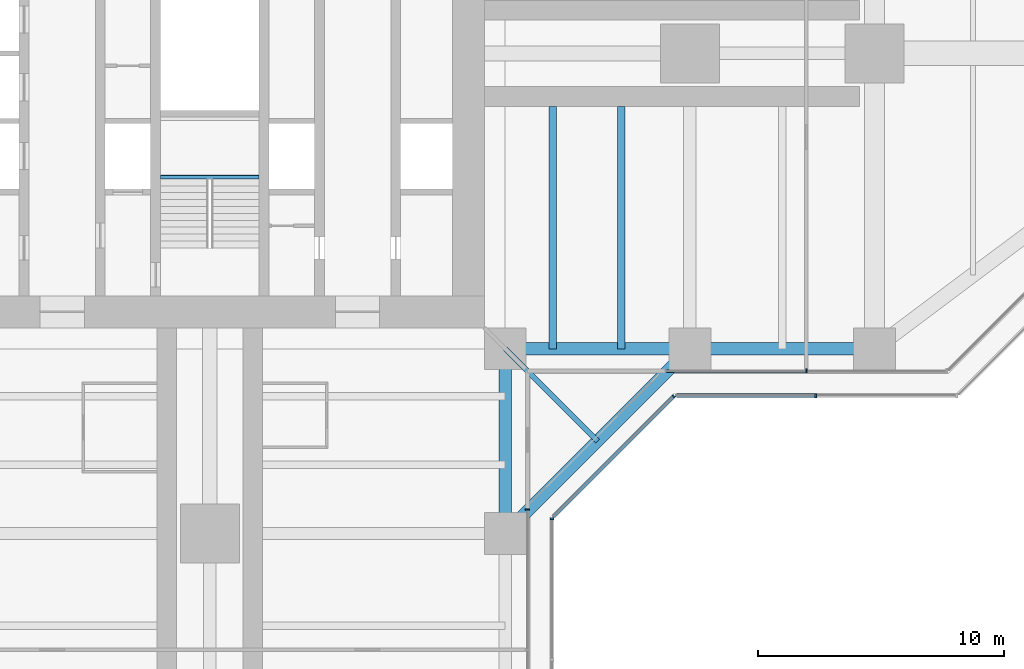
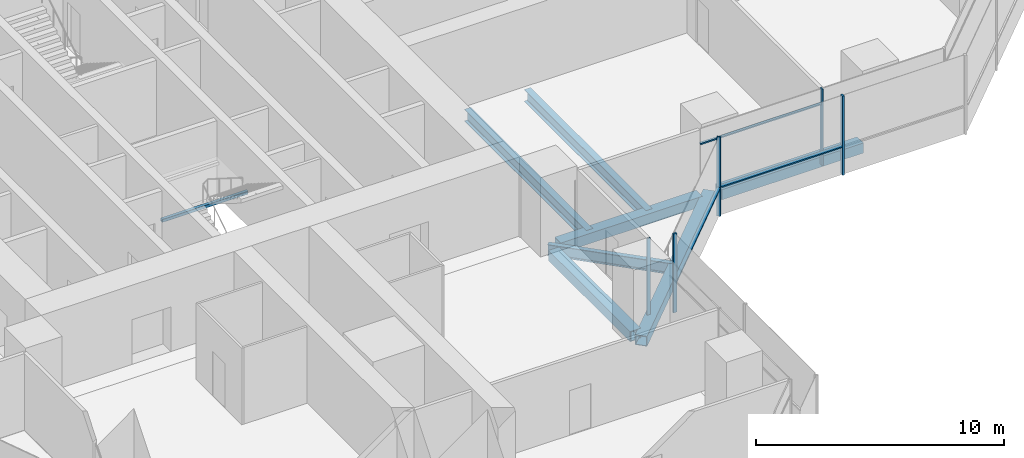
# One storey, part 6 of 22: 8 beams, 8 members, 5 elements without a shape of their own.
"""IFC4 building model written with IfcOpenShell, lengths in metres."""

import ifcopenshell
import ifcopenshell.guid

model = None  # the IFC model being written
_history = None  # IfcOwnerHistory: only IFC2X3 demands one
_inside = {}  # id of a spatial element -> (the spatial element, [elements in it])
_under = {}  # id of a project, library or spatial element -> (it, [spatial elements below it])
_declared = {}  # id of a project -> (the project, [libraries it declares])
_typed = {}  # id of a type object -> (the type object, [elements of that type])
_made_of = {}  # id of a material, layer set ... -> (it, [elements and type objects made of it])


def new_model(schema):
    """Start an empty IFC model of exactly this schema.

    Asked for "IFC4X3", IfcOpenShell would pick the latest addendum, in which some entities
    have other attributes; the version numbers below select the first issue.
    IFC2X3 requires an IfcOwnerHistory on every rooted entity: one is made here for all.
    """
    global model, _history
    if schema == "IFC4X3":
        model = ifcopenshell.file(schema_version=(4, 3, 0, 0))
    else:
        model = ifcopenshell.file(schema=schema)
    _inside.clear()
    _under.clear()
    _declared.clear()
    _typed.clear()
    _made_of.clear()
    _history = None
    if model.schema == "IFC2X3":
        org = make("IfcOrganization", Name="unknown")
        user = make(
            "IfcPersonAndOrganization",
            ThePerson=make("IfcPerson", FamilyName="unknown"),
            TheOrganization=org,
        )
        app = make(
            "IfcApplication",
            ApplicationDeveloper=org,
            Version="unknown",
            ApplicationFullName="unknown",
            ApplicationIdentifier="unknown",
        )
        _history = make(
            "IfcOwnerHistory",
            OwningUser=user,
            OwningApplication=app,
            ChangeAction="ADDED",
            CreationDate=0,
        )
    return model


def make(cls, **values):
    """One entity of the class cls with the attributes given. An attribute that is None is left unset."""
    return model.create_entity(
        cls, **{name: value for name, value in values.items() if value is not None}
    )


def rooted(cls, **values):
    """An entity with a GlobalId (a new one), such as an element, a storey or a relation."""
    return make(cls, GlobalId=ifcopenshell.guid.new(), OwnerHistory=_history, **values)


def si_unit(unit_type, name, prefix=None):
    """IfcSIUnit, for example si_unit("LENGTHUNIT", "METRE", prefix="MILLI")."""
    return make("IfcSIUnit", UnitType=unit_type, Prefix=prefix, Name=name)


def assignment(units):
    """IfcUnitAssignment: the units of a project."""
    return None if units is None else make("IfcUnitAssignment", Units=units)


def point(xyz):
    """IfcCartesianPoint."""
    return None if xyz is None else make("IfcCartesianPoint", Coordinates=xyz)


def direction(xyz):
    """IfcDirection."""
    return None if xyz is None else make("IfcDirection", DirectionRatios=xyz)


def frame(location, z_axis=None, x_axis=None):
    """IfcAxis2Placement3D, a coordinate frame: its origin and axes. An axis left out is left unset."""
    return make(
        "IfcAxis2Placement3D",
        Location=point(location),
        Axis=direction(z_axis),
        RefDirection=direction(x_axis),
    )


def frame_2d(location, x_axis=None):
    """IfcAxis2Placement2D, a coordinate frame in the plane: its origin and x axis."""
    return make(
        "IfcAxis2Placement2D", Location=point(location), RefDirection=direction(x_axis)
    )


def origin():
    """The frame at (0, 0, 0) with its axes left unset."""
    return frame((0.0, 0.0, 0.0))


def origin_2d():
    """The frame at (0, 0) in the plane with its x axis left unset."""
    return frame_2d((0.0, 0.0))


def place(relative_to, where):
    """IfcLocalPlacement: puts the frame where relative to a parent placement (None: the world)."""
    return make(
        "IfcLocalPlacement", PlacementRelTo=relative_to, RelativePlacement=where
    )


def context(
    kind, dimensions, precision=None, world=None, true_north=None, identifier=None
):
    """IfcGeometricRepresentationContext, for example the 3D "Model" context."""
    return make(
        "IfcGeometricRepresentationContext",
        ContextIdentifier=identifier,
        ContextType=kind,
        CoordinateSpaceDimension=dimensions,
        Precision=precision,
        WorldCoordinateSystem=world,
        TrueNorth=true_north,
    )


def subcontext(parent, identifier, kind, view, scale=None):
    """IfcGeometricRepresentationSubContext, for example "Body" below "Model"."""
    return make(
        "IfcGeometricRepresentationSubContext",
        ContextIdentifier=identifier,
        ContextType=kind,
        ParentContext=parent,
        TargetScale=scale,
        TargetView=view,
    )


def project(units=None, contexts=None):
    """IfcProject with its units and contexts."""
    return rooted(
        "IfcProject",
        Name="project",
        RepresentationContexts=contexts,
        UnitsInContext=assignment(units),
    )


def spatial(cls, under=None, at=None, **own):
    """A site, building, storey or space (cls), placed at a placement, below another one or the project."""
    s = rooted(cls, ObjectPlacement=at, **own)
    if under is not None:
        _under.setdefault(under.id(), (under, []))[1].append(s)
    return s


def profile(cls, at=None, kind="AREA", **sizes):
    """A parametric profile (cls). Its sizes go by their IFC names, for example OverallWidth=200.0."""
    return make(cls, ProfileType=kind, Position=at, **sizes)


def rectangle(**sizes):
    """IfcRectangleProfileDef."""
    return profile("IfcRectangleProfileDef", **sizes)


def hollow_rectangle(**sizes):
    """IfcRectangleHollowProfileDef."""
    return profile("IfcRectangleHollowProfileDef", **sizes)


def i_section(**sizes):
    """IfcIShapeProfileDef."""
    return profile("IfcIShapeProfileDef", **sizes)


def extrude(swept, where, along, depth):
    """IfcExtrudedAreaSolid: the profile swept, set in the frame where, extruded along a direction by depth."""
    return make(
        "IfcExtrudedAreaSolid",
        SweptArea=swept,
        Position=where,
        ExtrudedDirection=direction(along),
        Depth=depth,
    )


def shape(context_of_items, identifier, shape_type, items):
    """IfcShapeRepresentation: the items that make up one representation, for example the "Body"."""
    return make(
        "IfcShapeRepresentation",
        ContextOfItems=context_of_items,
        RepresentationIdentifier=identifier,
        RepresentationType=shape_type,
        Items=items,
    )


def material(Name=None, Category=None):
    """IfcMaterial."""
    return make("IfcMaterial", Name=Name, Category=Category)


def material_profile(
    of_material, cross_section, Name=None, Category=None, Priority=None
):
    """IfcMaterialProfile: a cross section and its material."""
    return make(
        "IfcMaterialProfile",
        Name=Name,
        Material=of_material,
        Profile=cross_section,
        Priority=Priority,
        Category=Category,
    )


def profile_set(profiles, Name=None, composite=None):
    """IfcMaterialProfileSet."""
    return make(
        "IfcMaterialProfileSet",
        Name=Name,
        MaterialProfiles=profiles,
        CompositeProfile=composite,
    )


def made_of(thing, what):
    """Note that an element or type object is made of a material, layer set ...; save() writes the relation."""
    if what is not None:
        _made_of.setdefault(what.id(), (what, []))[1].append(thing)
    return thing


def type_object(cls, material=None, **own):
    """A type object (cls), such as IfcWallType, which elements share."""
    return made_of(rooted(cls, **own), material)


def element(
    cls,
    number,
    at=None,
    inside=None,
    cuts=None,
    type_object=None,
    material=None,
    context=None,
    identifier="Body",
    shape_type=None,
    held_by="IfcProductDefinitionShape",
    body=None,
    shapes=None,
    **own,
):
    """One element of the class cls, such as IfcWall. Its Tag is "e" and its number.

    at: its placement. inside: the storey or other place that contains it. cuts: it is an
    opening in that element (IfcRelVoidsElement). A single representation is given by context,
    identifier, shape_type and body (its items); several are given by shapes. held_by: the class
    of the entity that holds the representations. save() writes the other relations.
    """
    e = rooted(cls, Tag="e%d" % number, ObjectPlacement=at, **own)
    if body is not None:
        shapes = [shape(context, identifier, shape_type, body)]
    if shapes is not None:
        e.Representation = make(held_by, Representations=shapes)
    if inside is not None:
        _inside.setdefault(inside.id(), (inside, []))[1].append(e)
    if cuts is not None:
        rooted(
            "IfcRelVoidsElement", RelatingBuildingElement=cuts, RelatedOpeningElement=e
        )
    if type_object is not None:
        _typed.setdefault(type_object.id(), (type_object, []))[1].append(e)
    return made_of(e, material)


def aggregate(whole, parts):
    """IfcRelAggregates: a whole, such as a stair, and the parts it consists of."""
    return rooted("IfcRelAggregates", RelatingObject=whole, RelatedObjects=parts)


def save(model, path):
    """Write the relations noted so far, then the file.

    IfcRelAggregates (storeys below a building ...), IfcRelContainedInSpatialStructure (elements
    in a storey), IfcRelDefinesByType, IfcRelAssociatesMaterial and IfcRelDeclares: one each for
    every whole, place, type object, material and project.
    """
    for whole, parts in _under.values():
        aggregate(whole, parts)
    for where, things in _inside.values():
        rooted(
            "IfcRelContainedInSpatialStructure",
            RelatedElements=things,
            RelatingStructure=where,
        )
    for kind, things in _typed.values():
        rooted("IfcRelDefinesByType", RelatedObjects=things, RelatingType=kind)
    for what, things in _made_of.values():
        rooted("IfcRelAssociatesMaterial", RelatedObjects=things, RelatingMaterial=what)
    for by, libraries in _declared.values():
        rooted("IfcRelDeclares", RelatingContext=by, RelatedDefinitions=libraries)
    model.write(path)


model = new_model("IFC4")

# Units and contexts
model_context = context("Model", 3, precision=1e-05, world=origin(), true_north=direction((0.0, 1.0)))
body_context = subcontext(model_context, "Body", "Model", "MODEL_VIEW")
ifc_project = project(units=[si_unit("LENGTHUNIT", "METRE"), si_unit("AREAUNIT", "SQUARE_METRE"), si_unit("VOLUMEUNIT", "CUBIC_METRE"), si_unit("PLANEANGLEUNIT", "RADIAN"), si_unit("MASSUNIT", "GRAM", prefix="KILO")], contexts=[model_context])

# Site, building, storey
site_placement = place(None, origin())
site = spatial("IfcSite", under=ifc_project, at=site_placement, CompositionType="ELEMENT")
building_placement = place(site_placement, origin())
building = spatial("IfcBuilding", under=site, at=building_placement, Name="Mizan Broadcast Tower", CompositionType="ELEMENT")
storey_placement = place(building_placement, frame((0.0, 0.0, 98.10009765625)))
storey = spatial("IfcBuildingStorey", under=building, at=storey_placement, Name="L21", CompositionType="ELEMENT", Elevation=98.10009765625)

# Beams
ifc_material_1 = material(Name="Steel S355", Category="steel")
ifc_material_profile_1 = material_profile(ifc_material_1, hollow_rectangle(XDim=0.5, YDim=0.5, WallThickness=0.030029296875, at=origin_2d()), Name="BOX 500x500x30")
ifc_profile_set_1 = profile_set([ifc_material_profile_1], Name="Steel S355")
beam_type_1 = type_object("IfcBeamType", Name="EDGE BEAM BOX 500x500x30", PredefinedType="SPANDREL", material=ifc_profile_set_1)
for number, where, z_axis, x_axis, name in (
    (1, (12.449951171875, -12.0, -0.380126953125), (1.0, 0.0, 0.0), (0.0, 1.0, 0.0), "Edge beam BOX 500x500x30 L21 east arm"),
    (2, (19.949951171875, -12.0, -0.380126953125), (1.0, 0.0, 0.0), (0.0, 1.0, 0.0), "Edge beam BOX 500x500x30 L21 east arm"),
    (3, (12.0, -12.449951171875, -0.380126953125), (0.0, -1.0, 0.0), (1.0, 0.0, 0.0), "Edge beam BOX 500x500x30 L21 south arm"),
):
    element("IfcBeam", number, at=place(storey_placement, frame(where, z_axis=z_axis, x_axis=x_axis)), inside=storey, type_object=beam_type_1, Name=name, PredefinedType="SPANDREL", context=body_context, shape_type="SweptSolid", body=[
        extrude(hollow_rectangle(XDim=0.5, YDim=0.5, WallThickness=0.030029296875, at=origin_2d()), origin(), (0.0, 0.0, 1.0), 6.60009765625),
    ])
beam_1_placement = place(storey_placement, frame((12.0, -19.5, -0.380126953125), z_axis=(0.707106781187, 0.707106781187, 0.0), x_axis=(-0.707106781187, 0.707106781187, 0.0)))
element("IfcBeam", 4, at=beam_1_placement, inside=storey, type_object=beam_type_1, Name="Winter garden edge beam L21 S", PredefinedType="SPANDREL", context=body_context, shape_type="SweptSolid", body=[
    extrude(hollow_rectangle(XDim=0.5, YDim=0.5, WallThickness=0.030029296875, at=origin_2d()), origin(), (0.0, 0.0, 1.0), 10.606689453125),
])

# Curtain wall, member
ifc_material_2 = material(Name="Aluminium framed glazing", Category="aluminium")
curtain_wall_type_1 = type_object("IfcCurtainWallType", Name="INNER SKIN LOW ZONE", PredefinedType="USERDEFINED", material=ifc_material_2)
curtain_wall_1_placement = place(storey_placement, origin())
curtain_wall_1 = element("IfcCurtainWall", 5, at=curtain_wall_1_placement, inside=storey, type_object=curtain_wall_type_1, Name="Inner skin low zone L21 E side", ObjectType="INNER SKIN LOW ZONE", PredefinedType="USERDEFINED")
ifc_material_3 = material(Name="Aluminium, pale anodised", Category="aluminium")
ifc_material_profile_2 = material_profile(ifc_material_3, rectangle(XDim=0.159912109375, YDim=0.06005859375, at=origin_2d()), Name="MULLION 160x60")
ifc_profile_set_2 = profile_set([ifc_material_profile_2], Name="Aluminium, pale anodised")
member_type_1 = type_object("IfcMemberType", Name="INNER SKIN MULLION 60x160", PredefinedType="MULLION", material=ifc_profile_set_2)
member_1_placement = place(storey_placement, frame((24.229248046875, -12.89990234375, 0.0), z_axis=(0.0, 0.0, 1.0), x_axis=(0.0, 1.0, 0.0)))
member_1 = element("IfcMember", 6, at=member_1_placement, type_object=member_type_1, Name="Inner skin low zone L21 E side mullion 2", PredefinedType="MULLION", context=body_context, shape_type="SweptSolid", body=[
    extrude(rectangle(XDim=0.159912109375, YDim=0.06005859375, at=origin_2d()), origin(), (0.0, 0.0, 1.0), 3.77001953125),
])

curtain_wall_2_placement = place(storey_placement, origin())
curtain_wall_2 = element("IfcCurtainWall", 7, at=curtain_wall_2_placement, inside=storey, type_object=curtain_wall_type_1, Name="Inner skin low zone L21 S side", ObjectType="INNER SKIN LOW ZONE", PredefinedType="USERDEFINED")
member_2_placement = place(storey_placement, frame((12.89990234375, -18.530029296875, 0.0), z_axis=(0.0, 0.0, 1.0), x_axis=(-1.0, 0.0, 0.0)))
member_2 = element("IfcMember", 8, at=member_2_placement, type_object=member_type_1, Name="Inner skin low zone L21 S side mullion 3", PredefinedType="MULLION", context=body_context, shape_type="SweptSolid", body=[
    extrude(rectangle(XDim=0.159912109375, YDim=0.06005859375, at=origin_2d()), origin(), (0.0, 0.0, 1.0), 3.77001953125),
])
aggregate(curtain_wall_2, [member_2])

# Member
ifc_material_4 = material(Name="Aluminium, pale anodised", Category="aluminium")
ifc_material_profile_3 = material_profile(ifc_material_4, rectangle(XDim=0.1201171875, YDim=0.06005859375, at=origin_2d()), Name="TRANSOM 120x60")
ifc_profile_set_3 = profile_set([ifc_material_profile_3], Name="Aluminium, pale anodised")
member_type_2 = type_object("IfcMemberType", Name="INNER SKIN TRANSOM 60x120", PredefinedType="USERDEFINED", material=ifc_profile_set_3)
member_3_placement = place(storey_placement, frame((18.56005859375, -12.89990234375, 3.02978515625), z_axis=(1.0, 0.0, 0.0), x_axis=(0.0, 1.0, 0.0)))
member_3 = element("IfcMember", 9, at=member_3_placement, type_object=member_type_2, Name="Inner skin low zone L21 E side transom 1.1", ObjectType="TRANSOM", PredefinedType="USERDEFINED", context=body_context, shape_type="SweptSolid", body=[
    extrude(rectangle(XDim=0.1201171875, YDim=0.06005859375, at=origin_2d()), origin(), (0.0, 0.0, 1.0), 5.63916015625),
])

aggregate(curtain_wall_1, [member_1, member_3])

# Beam
ifc_material_5 = material(Name="Steel S355", Category="steel")
ifc_material_profile_4 = material_profile(ifc_material_5, hollow_rectangle(XDim=0.14990234375, YDim=0.14990234375, WallThickness=0.008056640625, InnerFilletRadius=0.008056640625, OuterFilletRadius=0.011962890625, at=origin_2d()), Name="SHS 150x150x8")
ifc_profile_set_4 = profile_set([ifc_material_profile_4], Name="Steel S355")
beam_type_2 = type_object("IfcBeamType", Name="LANDING TRIMMER SHS 150x150x8", PredefinedType="BEAM", material=ifc_profile_set_4)
beam_2_placement = place(storey_placement, frame((-2.0, -5.02490234375, 1.6748046875), z_axis=(1.0, 0.0, 0.0), x_axis=(0.0, 1.0, 0.0)))
element("IfcBeam", 10, at=beam_2_placement, inside=storey, type_object=beam_type_2, Name="Stair A landing trimmer L21", PredefinedType="BEAM", context=body_context, shape_type="SweptSolid", body=[
    extrude(hollow_rectangle(XDim=0.14990234375, YDim=0.14990234375, WallThickness=0.008056640625, InnerFilletRadius=0.008056640625, OuterFilletRadius=0.011962890625, at=origin_2d()), origin(), (0.0, 0.0, 1.0), 4.0),
])

# Curtain wall, member
ifc_material_6 = material(Name="Aluminium framed glazing", Category="aluminium")
curtain_wall_type_2 = type_object("IfcCurtainWallType", Name="OUTER SKIN", PredefinedType="USERDEFINED", material=ifc_material_6)
curtain_wall_3_placement = place(storey_placement, origin())
curtain_wall_3 = element("IfcCurtainWall", 11, at=curtain_wall_3_placement, inside=storey, type_object=curtain_wall_type_2, Name="Outer skin L21 S side", ObjectType="OUTER SKIN", PredefinedType="USERDEFINED")
ifc_material_7 = material(Name="Aluminium, pale anodised", Category="aluminium")
ifc_material_profile_5 = material_profile(ifc_material_7, rectangle(XDim=0.159912109375, YDim=0.080078125, at=origin_2d()), Name="MULLION 160x80")
ifc_profile_set_5 = profile_set([ifc_material_profile_5], Name="Aluminium, pale anodised")
member_type_3 = type_object("IfcMemberType", Name="OUTER SKIN MULLION 80x160", PredefinedType="MULLION", material=ifc_profile_set_5)
member_4_placement = place(storey_placement, frame((13.89990234375, -18.912841796875, 0.0), z_axis=(0.0, 0.0, 1.0), x_axis=(-1.0, 0.0, 0.0)))
member_4 = element("IfcMember", 12, at=member_4_placement, type_object=member_type_3, Name="Outer skin L21 S side mullion 3", PredefinedType="MULLION", context=body_context, shape_type="SweptSolid", body=[
    extrude(rectangle(XDim=0.159912109375, YDim=0.080078125, at=origin_2d()), origin(), (0.0, 0.0, 1.0), 3.89990234375),
])
aggregate(curtain_wall_3, [member_4])

curtain_wall_4_placement = place(storey_placement, origin())
curtain_wall_4 = element("IfcCurtainWall", 13, at=curtain_wall_4_placement, inside=storey, type_object=curtain_wall_type_2, Name="Outer skin L21 E chamfer", ObjectType="OUTER SKIN", PredefinedType="USERDEFINED")
member_5_placement = place(storey_placement, frame((18.844482421875, -13.92822265625, 0.0), z_axis=(0.0, 0.0, 1.0), x_axis=(-0.707106781187, 0.707106781187, 0.0)))
member_5 = element("IfcMember", 14, at=member_5_placement, type_object=member_type_3, Name="Outer skin L21 E chamfer mullion 2", PredefinedType="MULLION", context=body_context, shape_type="SweptSolid", body=[
    extrude(rectangle(XDim=0.159912109375, YDim=0.080078125, at=origin_2d()), origin(), (0.0, 0.0, 1.0), 3.89990234375),
])

curtain_wall_5_placement = place(storey_placement, origin())
curtain_wall_5 = element("IfcCurtainWall", 15, at=curtain_wall_5_placement, inside=storey, type_object=curtain_wall_type_2, Name="Outer skin L21 E side", ObjectType="OUTER SKIN", PredefinedType="USERDEFINED")
member_6_placement = place(storey_placement, frame((24.622802734375, -13.89990234375, 0.0), z_axis=(0.0, 0.0, 1.0), x_axis=(0.0, 1.0, 0.0)))
member_6 = element("IfcMember", 16, at=member_6_placement, type_object=member_type_3, Name="Outer skin L21 E side mullion 2", PredefinedType="MULLION", context=body_context, shape_type="SweptSolid", body=[
    extrude(rectangle(XDim=0.159912109375, YDim=0.080078125, at=origin_2d()), origin(), (0.0, 0.0, 1.0), 3.89990234375),
])

# Member
ifc_material_8 = material(Name="Aluminium, pale anodised", Category="aluminium")
ifc_material_profile_6 = material_profile(ifc_material_8, rectangle(XDim=0.159912109375, YDim=0.06005859375, at=origin_2d()), Name="TRANSOM 160x60")
ifc_profile_set_6 = profile_set([ifc_material_profile_6], Name="Aluminium, pale anodised")
member_type_4 = type_object("IfcMemberType", Name="OUTER SKIN TRANSOM 60x160", PredefinedType="USERDEFINED", material=ifc_profile_set_6)
member_7_placement = place(storey_placement, frame((13.95654296875, -18.816162109375, 1.39990234375), z_axis=(0.707106781187, 0.707106781187, 0.0), x_axis=(-0.707106781187, 0.707106781187, 0.0)))
member_7 = element("IfcMember", 17, at=member_7_placement, type_object=member_type_4, Name="Outer skin L21 E chamfer transom 1.1", ObjectType="TRANSOM", PredefinedType="USERDEFINED", context=body_context, shape_type="SweptSolid", body=[
    extrude(rectangle(XDim=0.159912109375, YDim=0.06005859375, at=origin_2d()), origin(), (0.0, 0.0, 1.0), 6.87255859375),
])

aggregate(curtain_wall_4, [member_5, member_7])

member_8_placement = place(storey_placement, frame((18.952880859375, -13.89990234375, 1.39990234375), z_axis=(1.0, 0.0, 0.0), x_axis=(0.0, 1.0, 0.0)))
member_8 = element("IfcMember", 18, at=member_8_placement, type_object=member_type_4, Name="Outer skin L21 E side transom 1.1", ObjectType="TRANSOM", PredefinedType="USERDEFINED", context=body_context, shape_type="SweptSolid", body=[
    extrude(rectangle(XDim=0.159912109375, YDim=0.06005859375, at=origin_2d()), origin(), (0.0, 0.0, 1.0), 5.6298828125),
])

aggregate(curtain_wall_5, [member_6, member_8])

# Beams
ifc_material_9 = material(Name="Steel S355", Category="steel")
ifc_material_profile_7 = material_profile(ifc_material_9, i_section(OverallWidth=0.300048828125, OverallDepth=0.590087890625, WebThickness=0.012939453125, FlangeThickness=0.02490234375, FilletRadius=0.027099609375, at=origin_2d()), Name="HEA 600")
ifc_profile_set_7 = profile_set([ifc_material_profile_7], Name="Steel S355")
beam_type_3 = type_object("IfcBeamType", Name="SECONDARY BEAM HEA 600", PredefinedType="JOIST", material=ifc_profile_set_7)
for number, where, z_axis, x_axis, name in (
    (19, (13.933349609375, -12.0, -0.425048828125), (0.0, 1.0, 0.0), (-1.0, 0.0, 0.0), "Secondary beam HEA 600 L21 east arm"),
    (20, (16.716552734375, -12.0, -0.425048828125), (0.0, 1.0, 0.0), (-1.0, 0.0, 0.0), "Secondary beam HEA 600 L21 east arm"),
):
    element("IfcBeam", number, at=place(storey_placement, frame(where, z_axis=z_axis, x_axis=x_axis)), inside=storey, type_object=beam_type_3, Name=name, PredefinedType="JOIST", context=body_context, shape_type="SweptSolid", body=[
        extrude(i_section(OverallWidth=0.300048828125, OverallDepth=0.590087890625, WebThickness=0.012939453125, FlangeThickness=0.02490234375, FilletRadius=0.027099609375, at=origin_2d()), origin(), (0.0, 0.0, 1.0), 9.85009765625),
    ])
ifc_material_10 = material(Name="Steel S355", Category="steel")
ifc_material_profile_8 = material_profile(ifc_material_10, i_section(OverallWidth=0.2099609375, OverallDepth=0.550048828125, WebThickness=0.010986328125, FlangeThickness=0.01708984375, FilletRadius=0.02392578125, at=origin_2d()), Name="IPE 550")
ifc_profile_set_8 = profile_set([ifc_material_profile_8], Name="Steel S355")
beam_type_4 = type_object("IfcBeamType", Name="SECONDARY BEAM IPE 550", PredefinedType="JOIST", material=ifc_profile_set_8)
beam_3_placement = place(storey_placement, frame((12.0, -12.0, -0.405029296875), z_axis=(0.707106781187, -0.707106781187, 0.0), x_axis=(0.707106781187, 0.707106781187, 0.0)))
element("IfcBeam", 21, at=beam_3_placement, inside=storey, type_object=beam_type_4, Name="Winter garden beam L21 S", PredefinedType="JOIST", context=body_context, shape_type="SweptSolid", body=[
    extrude(i_section(OverallWidth=0.2099609375, OverallDepth=0.550048828125, WebThickness=0.010986328125, FlangeThickness=0.01708984375, FilletRadius=0.02392578125, at=origin_2d()), origin(), (0.0, 0.0, 1.0), 5.30322265625),
])

save(model, "model.ifc")
